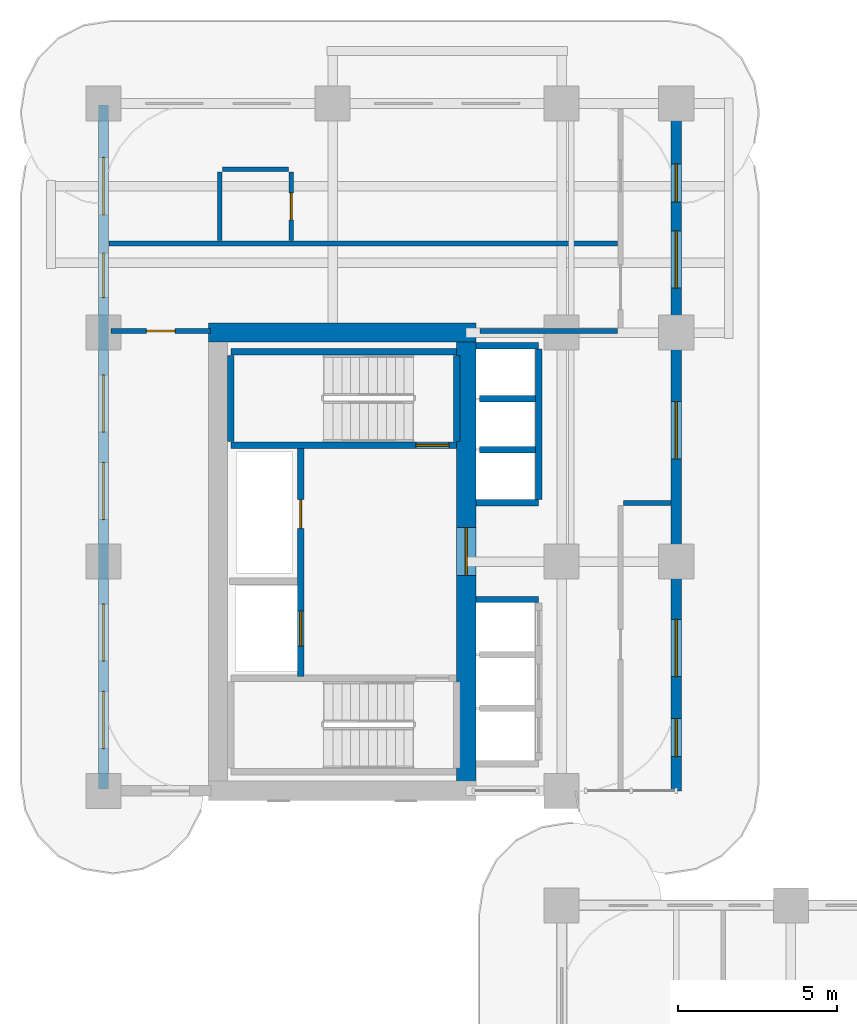
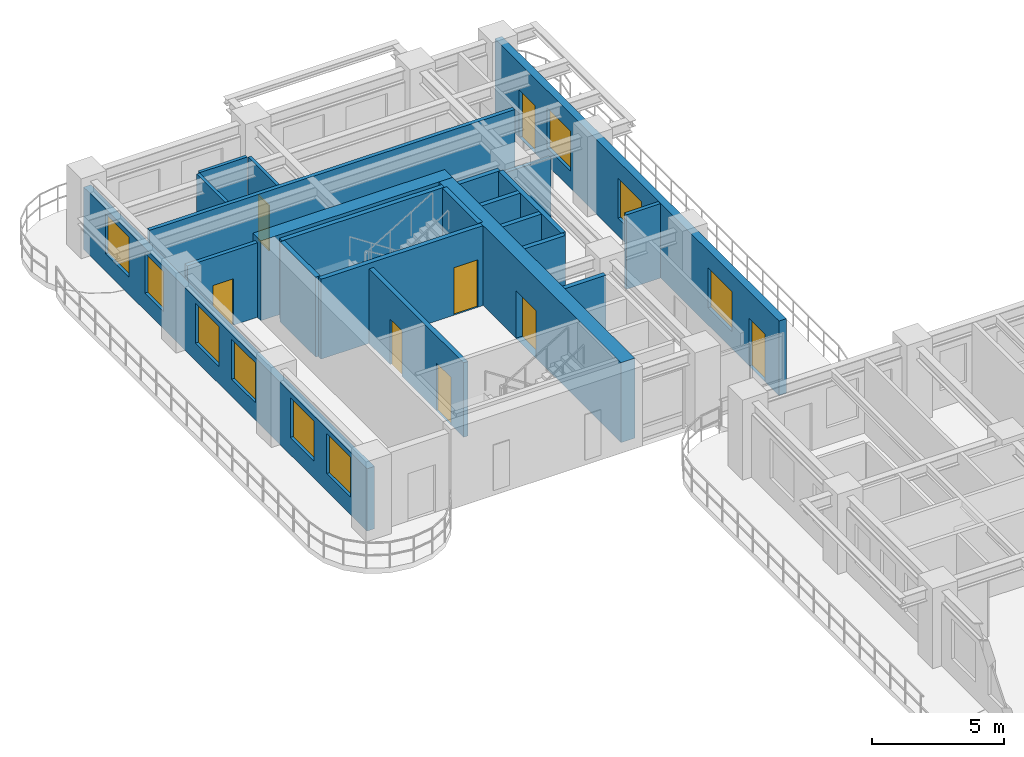
# One storey, part 11 of 19: 22 walls, 9 windows, 8 doors, 17 openings.
"""IFC4 building model written with IfcOpenShell, lengths in metres."""

from ifc_helpers import new_model, si_unit, derived_unit, direction, frame, frame_2d, origin, place, context, subcontext, project, spatial, rectangle, extrude, source, transform, mapped, material, layer, layer_set, type_object, type_shapes, element, fill, save


model = new_model("IFC4")

# Units and contexts
model_context = context("Model", 3, precision=1e-05, world=origin(), true_north=direction((0.0, 1.0)))
body_context = subcontext(model_context, "Body", "Model", "MODEL_VIEW")
ifc_project = project(units=[si_unit("LENGTHUNIT", "METRE"), si_unit("AREAUNIT", "SQUARE_METRE"), si_unit("VOLUMEUNIT", "CUBIC_METRE"), si_unit("PLANEANGLEUNIT", "RADIAN"), si_unit("MASSUNIT", "GRAM", prefix="KILO"), si_unit("THERMODYNAMICTEMPERATUREUNIT", "KELVIN"), si_unit("POWERUNIT", "WATT"), derived_unit("THERMALTRANSMITTANCEUNIT", [(si_unit("POWERUNIT", "WATT"), 1), (si_unit("AREAUNIT", "SQUARE_METRE"), -1), (si_unit("THERMODYNAMICTEMPERATUREUNIT", "KELVIN"), -1)])], contexts=[model_context])

# Site, building, storey
site_placement = place(None, origin())
site = spatial("IfcSite", under=ifc_project, at=site_placement, CompositionType="ELEMENT")
building_placement = place(site_placement, origin())
building = spatial("IfcBuilding", under=site, at=building_placement, Name="Zahravan Archway Hotel and Residences", CompositionType="ELEMENT")
storey_placement = place(building_placement, frame((0.0, 0.0, 39.800048828125)))
storey = spatial("IfcBuildingStorey", under=building, at=storey_placement, Name="L08", CompositionType="ELEMENT", Elevation=39.800048828125)

# Wall
ifc_material_1 = material(Name="Concrete C70/85", Category="concrete")
ifc_layer_1 = layer(ifc_material_1, 0.60009765625, Name="Concrete C70/85", Category="concrete")
ifc_layer_set_1 = layer_set([ifc_layer_1], Name="Concrete C70/85")
wall_type_1 = type_object("IfcWallType", Name="CW-CORE-600", PredefinedType="SHEAR", material=ifc_layer_set_1)
wall_1_placement = place(storey_placement, frame((3.300048828125, 39.60009765625, 0.0), z_axis=(0.0, 0.0, 1.0), x_axis=(1.0, 0.0, 0.0)))
element("IfcWall", 1, at=wall_1_placement, inside=storey, type_object=wall_type_1, Name="L08 Core B Shear N Wall 600 mm", PredefinedType="SHEAR", context=body_context, shape_type="SweptSolid", body=[
    extrude(rectangle(XDim=8.39990234375, YDim=0.60009765625, at=frame_2d((4.199951171875, 0.0))), origin(), (0.0, 0.0, 1.0), 3.699951171875),
])

# Wall, opening, door
wall_2_placement = place(storey_placement, frame((11.39990234375, 25.5, 0.0), z_axis=(0.0, 0.0, 1.0), x_axis=(0.0, 1.0, 0.0)))
wall_2 = element("IfcWall", 2, at=wall_2_placement, inside=storey, type_object=wall_type_1, Name="L08 Core B Shear E Wall 600 mm", PredefinedType="SHEAR", context=body_context, shape_type="SweptSolid", body=[
    extrude(rectangle(XDim=13.800048828125, YDim=0.60009765625, at=frame_2d((6.89990234375, 0.0))), origin(), (0.0, 0.0, 1.0), 3.699951171875),
])
opening_1_placement = place(wall_2_placement, frame((6.469970703125, 0.0, 0.0)))
opening_1 = element("IfcOpeningElement", 3, at=opening_1_placement, cuts=wall_2, Name="Opening FD-L1", PredefinedType="OPENING", context=body_context, shape_type="SweptSolid", body=[
    extrude(rectangle(XDim=1.5, YDim=2.199951171875, at=frame_2d((0.75, 1.10009765625))), frame((0.0, 0.31005859375, 0.0), z_axis=(0.0, -1.0, 0.0), x_axis=(1.0, 0.0, 0.0)), (0.0, 0.0, 1.0), 0.6201171875),
])
ifc_material_2 = material(Name="Fire-Rated Painted Steel", Category="steel")
door_type_1 = type_object("IfcDoorType", Name="FD-LOBBY-1500", OperationType="DOUBLE_DOOR_SINGLE_SWING", PredefinedType="DOOR", material=ifc_material_2)
shared_shape_1 = source(origin(), body_context, "Body", "SweptSolid", [
    extrude(rectangle(XDim=1.5, YDim=2.199951171875, at=frame_2d((0.75, 1.10009765625))), frame((0.0, 0.02490234375, 0.0), z_axis=(0.0, -1.0, 0.0), x_axis=(1.0, 0.0, 0.0)), (0.0, 0.0, 1.0), 0.050048828125),
])
type_shapes(door_type_1, [shared_shape_1])
door_1_placement = place(opening_1_placement, origin())
door_1 = element("IfcDoor", 4, at=door_1_placement, inside=storey, type_object=door_type_1, Name="L08 Core B FSAE Lobby Door", OperationType="DOUBLE_DOOR_SINGLE_SWING", OverallHeight=2.199951171875, OverallWidth=1.5, PredefinedType="DOOR", context=body_context, shape_type="MappedRepresentation", body=[
    mapped(shared_shape_1, transform((0.0, 0.0, 0.0), scale=1.0)),
])
fill(opening_1, door_1)

# Wall, openings, doors, windows
ifc_material_3 = material(Name="Agra Buff Sandstone & Insulated Backup", Category="masonry")
ifc_layer_2 = layer(ifc_material_3, 0.320068359375, Name="Agra Buff Sandstone & Insulated Backup", Category="masonry")
ifc_layer_set_2 = layer_set([ifc_layer_2], Name="Agra Buff Sandstone & Insulated Backup")
wall_type_2 = type_object("IfcWallType", Name="EW-SAND-320", PredefinedType="SOLIDWALL", material=ifc_layer_set_2)
wall_3_placement = place(storey_placement, frame((18.0, 25.199951171875, 0.0), z_axis=(0.0, 0.0, 1.0), x_axis=(0.0, 1.0, 0.0)))
wall_3 = element("IfcWall", 5, at=wall_3_placement, inside=storey, type_object=wall_type_2, Name="L08 Exterior Sandstone Wall WB-E", PredefinedType="SOLIDWALL", context=body_context, shape_type="SweptSolid", body=[
    extrude(rectangle(XDim=21.550048828125, YDim=0.320068359375, at=frame_2d((10.77490234375, 0.0))), origin(), (0.0, 0.0, 1.0), 3.449951171875),
])
opening_2_placement = place(wall_3_placement, frame((18.5, 0.0, 0.0)))
opening_2 = element("IfcOpeningElement", 6, at=opening_2_placement, cuts=wall_3, Name="Opening ED-BL1", PredefinedType="OPENING", context=body_context, shape_type="SweptSolid", body=[
    extrude(rectangle(XDim=1.199951171875, YDim=2.199951171875, at=frame_2d((0.60009765625, 1.10009765625))), frame((0.0, 0.169921875, 0.0), z_axis=(0.0, -1.0, 0.0), x_axis=(1.0, 0.0, 0.0)), (0.0, 0.0, 1.0), 0.340087890625),
])
opening_3_placement = place(wall_3_placement, frame((1.070068359375, 0.0, 0.0)))
opening_3 = element("IfcOpeningElement", 7, at=opening_3_placement, cuts=wall_3, Name="Opening ED-BL1", PredefinedType="OPENING", context=body_context, shape_type="SweptSolid", body=[
    extrude(rectangle(XDim=1.199951171875, YDim=2.199951171875, at=frame_2d((0.60009765625, 1.10009765625))), frame((0.0, 0.169921875, 0.0), z_axis=(0.0, -1.0, 0.0), x_axis=(1.0, 0.0, 0.0)), (0.0, 0.0, 1.0), 0.340087890625),
])
opening_4_placement = place(wall_3_placement, frame((3.5849609375, 0.0, 0.800048828125)))
opening_4 = element("IfcOpeningElement", 8, at=opening_4_placement, cuts=wall_3, Name="Opening W-02", PredefinedType="OPENING", context=body_context, shape_type="SweptSolid", body=[
    extrude(rectangle(XDim=1.800048828125, YDim=1.85009765625, at=frame_2d((0.89990234375, 0.925048828125))), frame((0.0, 0.169921875, 0.0), z_axis=(0.0, -1.0, 0.0), x_axis=(1.0, 0.0, 0.0)), (0.0, 0.0, 1.0), 0.340087890625),
])
opening_5_placement = place(wall_3_placement, frame((10.427978515625, 0.0, 0.800048828125)))
opening_5 = element("IfcOpeningElement", 9, at=opening_5_placement, cuts=wall_3, Name="Opening W-02", PredefinedType="OPENING", context=body_context, shape_type="SweptSolid", body=[
    extrude(rectangle(XDim=1.800048828125, YDim=1.85009765625, at=frame_2d((0.89990234375, 0.925048828125))), frame((0.0, 0.169921875, 0.0), z_axis=(0.0, -1.0, 0.0), x_axis=(1.0, 0.0, 0.0)), (0.0, 0.0, 1.0), 0.340087890625),
])
opening_6_placement = place(wall_3_placement, frame((15.800048828125, 0.0, 0.800048828125)))
opening_6 = element("IfcOpeningElement", 10, at=opening_6_placement, cuts=wall_3, Name="Opening W-02", PredefinedType="OPENING", context=body_context, shape_type="SweptSolid", body=[
    extrude(rectangle(XDim=1.800048828125, YDim=1.85009765625, at=frame_2d((0.89990234375, 0.925048828125))), frame((0.0, 0.169921875, 0.0), z_axis=(0.0, -1.0, 0.0), x_axis=(1.0, 0.0, 0.0)), (0.0, 0.0, 1.0), 0.340087890625),
])
ifc_material_4 = material(Name="Bronze-Anodized Glazed Aluminium", Category="aluminium")
door_type_2 = type_object("IfcDoorType", Name="ED-BALC-1200", OperationType="SLIDING_TO_LEFT", PredefinedType="DOOR", material=ifc_material_4)
shared_shape_2 = source(origin(), body_context, "Body", "SweptSolid", [
    extrude(rectangle(XDim=1.199951171875, YDim=2.199951171875, at=frame_2d((0.60009765625, 1.10009765625))), frame((0.0, 0.02490234375, 0.0), z_axis=(0.0, -1.0, 0.0), x_axis=(1.0, 0.0, 0.0)), (0.0, 0.0, 1.0), 0.050048828125),
])
type_shapes(door_type_2, [shared_shape_2])
door_2_placement = place(opening_2_placement, origin())
door_2 = element("IfcDoor", 11, at=door_2_placement, inside=storey, type_object=door_type_2, Name="L08 Outdoor Access Sliding Door (SLB-BAL-L08-NB)", OperationType="SLIDING_TO_LEFT", OverallHeight=2.199951171875, OverallWidth=1.199951171875, PredefinedType="DOOR", context=body_context, shape_type="MappedRepresentation", body=[
    mapped(shared_shape_2, transform((0.0, 0.0, 0.0), scale=1.0)),
])
fill(opening_2, door_2)
door_3_placement = place(opening_3_placement, origin())
door_3 = element("IfcDoor", 12, at=door_3_placement, inside=storey, type_object=door_type_2, Name="L08 Outdoor Access Sliding Door (SLB-BAL-L08-EB)", OperationType="SLIDING_TO_LEFT", OverallHeight=2.199951171875, OverallWidth=1.199951171875, PredefinedType="DOOR", context=body_context, shape_type="MappedRepresentation", body=[
    mapped(shared_shape_2, transform((0.0, 0.0, 0.0), scale=1.0)),
])
fill(opening_3, door_3)
ifc_material_5 = material(Name="Bronze-Anodized Thermal-Break Aluminium & Low-E Glass", Category="aluminium")
window_type_1 = type_object("IfcWindowType", Name="WIN-TWR-1800", PartitioningType="DOUBLE_PANEL_VERTICAL", PredefinedType="WINDOW", material=ifc_material_5)
shared_shape_3 = source(origin(), body_context, "Body", "SweptSolid", [
    extrude(rectangle(XDim=1.800048828125, YDim=1.85009765625, at=frame_2d((0.89990234375, 0.925048828125))), frame((0.0, 0.030029296875, 0.0), z_axis=(0.0, -1.0, 0.0), x_axis=(1.0, 0.0, 0.0)), (0.0, 0.0, 1.0), 0.06005859375),
])
type_shapes(window_type_1, [shared_shape_3])
window_1_placement = place(opening_4_placement, origin())
window_1 = element("IfcWindow", 13, at=window_1_placement, inside=storey, type_object=window_type_1, Name="L08 Loggia Window 35", OverallHeight=1.85009765625, OverallWidth=1.800048828125, PartitioningType="DOUBLE_PANEL_VERTICAL", PredefinedType="WINDOW", context=body_context, shape_type="MappedRepresentation", body=[
    mapped(shared_shape_3, transform((0.0, 0.0, 0.0), scale=1.0)),
])
fill(opening_4, window_1)
window_2_placement = place(opening_5_placement, origin())
window_2 = element("IfcWindow", 14, at=window_2_placement, inside=storey, type_object=window_type_1, Name="L08 Loggia Window 36", OverallHeight=1.85009765625, OverallWidth=1.800048828125, PartitioningType="DOUBLE_PANEL_VERTICAL", PredefinedType="WINDOW", context=body_context, shape_type="MappedRepresentation", body=[
    mapped(shared_shape_3, transform((0.0, 0.0, 0.0), scale=1.0)),
])
fill(opening_5, window_2)
window_3_placement = place(opening_6_placement, origin())
window_3 = element("IfcWindow", 15, at=window_3_placement, inside=storey, type_object=window_type_1, Name="L08 Loggia Window 37", OverallHeight=1.85009765625, OverallWidth=1.800048828125, PartitioningType="DOUBLE_PANEL_VERTICAL", PredefinedType="WINDOW", context=body_context, shape_type="MappedRepresentation", body=[
    mapped(shared_shape_3, transform((0.0, 0.0, 0.0), scale=1.0)),
])
fill(opening_6, window_3)

# Wall, openings, windows
wall_4_placement = place(storey_placement, frame((0.0, 25.25, 0.0), z_axis=(0.0, 0.0, 1.0), x_axis=(0.0, 1.0, 0.0)))
wall_4 = element("IfcWall", 16, at=wall_4_placement, inside=storey, type_object=wall_type_2, Name="L08 Exterior Sandstone Wall WB-W", PredefinedType="SOLIDWALL", context=body_context, shape_type="SweptSolid", body=[
    extrude(rectangle(XDim=21.5, YDim=0.320068359375, at=frame_2d((10.75, 0.0))), origin(), (0.0, 0.0, 1.0), 2.885009765625),
])
opening_7_placement = place(wall_4_placement, frame((1.27490234375, 0.0, 0.800048828125)))
opening_7 = element("IfcOpeningElement", 17, at=opening_7_placement, cuts=wall_4, Name="Opening W-02", PredefinedType="OPENING", context=body_context, shape_type="SweptSolid", body=[
    extrude(rectangle(XDim=1.800048828125, YDim=1.85009765625, at=frame_2d((0.89990234375, 0.925048828125))), frame((0.0, 0.169921875, 0.0), z_axis=(0.0, -1.0, 0.0), x_axis=(1.0, 0.0, 0.0)), (0.0, 0.0, 1.0), 0.340087890625),
])
opening_8_placement = place(wall_4_placement, frame((4.02490234375, 0.0, 0.800048828125)))
opening_8 = element("IfcOpeningElement", 18, at=opening_8_placement, cuts=wall_4, Name="Opening W-02", PredefinedType="OPENING", context=body_context, shape_type="SweptSolid", body=[
    extrude(rectangle(XDim=1.800048828125, YDim=1.85009765625, at=frame_2d((0.89990234375, 0.925048828125))), frame((0.0, 0.169921875, 0.0), z_axis=(0.0, -1.0, 0.0), x_axis=(1.0, 0.0, 0.0)), (0.0, 0.0, 1.0), 0.340087890625),
])
opening_9_placement = place(wall_4_placement, frame((8.47509765625, 0.0, 0.800048828125)))
opening_9 = element("IfcOpeningElement", 19, at=opening_9_placement, cuts=wall_4, Name="Opening W-02", PredefinedType="OPENING", context=body_context, shape_type="SweptSolid", body=[
    extrude(rectangle(XDim=1.800048828125, YDim=1.85009765625, at=frame_2d((0.89990234375, 0.925048828125))), frame((0.0, 0.169921875, 0.0), z_axis=(0.0, -1.0, 0.0), x_axis=(1.0, 0.0, 0.0)), (0.0, 0.0, 1.0), 0.340087890625),
])
opening_10_placement = place(wall_4_placement, frame((11.22509765625, 0.0, 0.800048828125)))
opening_10 = element("IfcOpeningElement", 20, at=opening_10_placement, cuts=wall_4, Name="Opening W-02", PredefinedType="OPENING", context=body_context, shape_type="SweptSolid", body=[
    extrude(rectangle(XDim=1.800048828125, YDim=1.85009765625, at=frame_2d((0.89990234375, 0.925048828125))), frame((0.0, 0.169921875, 0.0), z_axis=(0.0, -1.0, 0.0), x_axis=(1.0, 0.0, 0.0)), (0.0, 0.0, 1.0), 0.340087890625),
])
opening_11_placement = place(wall_4_placement, frame((15.447021484375, 0.0, 0.800048828125)))
opening_11 = element("IfcOpeningElement", 21, at=opening_11_placement, cuts=wall_4, Name="Opening W-03", PredefinedType="OPENING", context=body_context, shape_type="SweptSolid", body=[
    extrude(rectangle(XDim=1.39990234375, YDim=1.85009765625, at=frame_2d((0.699951171875, 0.925048828125))), frame((0.0, 0.169921875, 0.0), z_axis=(0.0, -1.0, 0.0), x_axis=(1.0, 0.0, 0.0)), (0.0, 0.0, 1.0), 0.340087890625),
])
opening_12_placement = place(wall_4_placement, frame((18.052978515625, 0.0, 0.800048828125)))
opening_12 = element("IfcOpeningElement", 22, at=opening_12_placement, cuts=wall_4, Name="Opening W-02", PredefinedType="OPENING", context=body_context, shape_type="SweptSolid", body=[
    extrude(rectangle(XDim=1.800048828125, YDim=1.85009765625, at=frame_2d((0.89990234375, 0.925048828125))), frame((0.0, 0.169921875, 0.0), z_axis=(0.0, -1.0, 0.0), x_axis=(1.0, 0.0, 0.0)), (0.0, 0.0, 1.0), 0.340087890625),
])
window_type_2 = type_object("IfcWindowType", Name="WIN-TWR-1400", PartitioningType="SINGLE_PANEL", PredefinedType="WINDOW", material=ifc_material_5)
shared_shape_4 = source(origin(), body_context, "Body", "SweptSolid", [
    extrude(rectangle(XDim=1.39990234375, YDim=1.85009765625, at=frame_2d((0.699951171875, 0.925048828125))), frame((0.0, 0.030029296875, 0.0), z_axis=(0.0, -1.0, 0.0), x_axis=(1.0, 0.0, 0.0)), (0.0, 0.0, 1.0), 0.06005859375),
])
type_shapes(window_type_2, [shared_shape_4])
window_4_placement = place(opening_11_placement, origin())
window_4 = element("IfcWindow", 23, at=window_4_placement, inside=storey, type_object=window_type_2, Name="L08 Loggia Window 46", OverallHeight=1.85009765625, OverallWidth=1.39990234375, PartitioningType="SINGLE_PANEL", PredefinedType="WINDOW", context=body_context, shape_type="MappedRepresentation", body=[
    mapped(shared_shape_4, transform((0.0, 0.0, 0.0), scale=1.0)),
])
fill(opening_11, window_4)
window_5_placement = place(opening_7_placement, origin())
window_5 = element("IfcWindow", 24, at=window_5_placement, inside=storey, type_object=window_type_1, Name="L08 Loggia Window 42", OverallHeight=1.85009765625, OverallWidth=1.800048828125, PartitioningType="DOUBLE_PANEL_VERTICAL", PredefinedType="WINDOW", context=body_context, shape_type="MappedRepresentation", body=[
    mapped(shared_shape_3, transform((0.0, 0.0, 0.0), scale=1.0)),
])
fill(opening_7, window_5)
window_6_placement = place(opening_8_placement, origin())
window_6 = element("IfcWindow", 25, at=window_6_placement, inside=storey, type_object=window_type_1, Name="L08 Loggia Window 43", OverallHeight=1.85009765625, OverallWidth=1.800048828125, PartitioningType="DOUBLE_PANEL_VERTICAL", PredefinedType="WINDOW", context=body_context, shape_type="MappedRepresentation", body=[
    mapped(shared_shape_3, transform((0.0, 0.0, 0.0), scale=1.0)),
])
fill(opening_8, window_6)
window_7_placement = place(opening_9_placement, origin())
window_7 = element("IfcWindow", 26, at=window_7_placement, inside=storey, type_object=window_type_1, Name="L08 Loggia Window 44", OverallHeight=1.85009765625, OverallWidth=1.800048828125, PartitioningType="DOUBLE_PANEL_VERTICAL", PredefinedType="WINDOW", context=body_context, shape_type="MappedRepresentation", body=[
    mapped(shared_shape_3, transform((0.0, 0.0, 0.0), scale=1.0)),
])
fill(opening_9, window_7)
window_8_placement = place(opening_10_placement, origin())
window_8 = element("IfcWindow", 27, at=window_8_placement, inside=storey, type_object=window_type_1, Name="L08 Loggia Window 45", OverallHeight=1.85009765625, OverallWidth=1.800048828125, PartitioningType="DOUBLE_PANEL_VERTICAL", PredefinedType="WINDOW", context=body_context, shape_type="MappedRepresentation", body=[
    mapped(shared_shape_3, transform((0.0, 0.0, 0.0), scale=1.0)),
])
fill(opening_10, window_8)
window_9_placement = place(opening_12_placement, origin())
window_9 = element("IfcWindow", 28, at=window_9_placement, inside=storey, type_object=window_type_1, Name="L08 Loggia Window 47", OverallHeight=1.85009765625, OverallWidth=1.800048828125, PartitioningType="DOUBLE_PANEL_VERTICAL", PredefinedType="WINDOW", context=body_context, shape_type="MappedRepresentation", body=[
    mapped(shared_shape_3, transform((0.0, 0.0, 0.0), scale=1.0)),
])
fill(opening_12, window_9)

# Walls
ifc_material_6 = material(Name="Fire-Rated Gypsum & Concrete Block", Category="concrete")
ifc_layer_3 = layer(ifc_material_6, 0.159912109375, Name="Fire-Rated Gypsum & Concrete Block", Category="concrete")
ifc_layer_set_3 = layer_set([ifc_layer_3], Name="Fire-Rated Gypsum & Concrete Block")
wall_type_3 = type_object("IfcWallType", Name="PW-CORR-160", PredefinedType="PARTITIONING", material=ifc_layer_set_3)
wall_5_placement = place(storey_placement, frame((16.340087890625, 34.25, 0.0), z_axis=(0.0, 0.0, 1.0), x_axis=(1.0, 0.0, 0.0)))
element("IfcWall", 29, at=wall_5_placement, inside=storey, type_object=wall_type_3, Name="L08 Partition WB-CS", PredefinedType="PARTITIONING", context=body_context, shape_type="SweptSolid", body=[
    extrude(rectangle(XDim=1.491943359375, YDim=0.159912109375, at=frame_2d((0.74609375, 0.0))), origin(), (0.0, 0.0, 1.0), 3.449951171875),
])
wall_6_placement = place(storey_placement, frame((11.840087890625, 39.64990234375, 0.0), z_axis=(0.0, 0.0, 1.0), x_axis=(1.0, 0.0, 0.0)))
element("IfcWall", 30, at=wall_6_placement, inside=storey, type_object=wall_type_3, Name="L08 Partition WB-NS2", PredefinedType="PARTITIONING", context=body_context, shape_type="SweptSolid", body=[
    extrude(rectangle(XDim=4.31982421875, YDim=0.159912109375, at=frame_2d((2.159912109375, 0.0))), origin(), (0.0, 0.0, 1.0), 2.885009765625),
])

# Wall, openings, doors
ifc_layer_4 = layer(ifc_material_6, 0.199951171875, Name="Fire-Rated Gypsum & Concrete Block", Category="concrete")
ifc_layer_set_4 = layer_set([ifc_layer_4], Name="Fire-Rated Gypsum & Concrete Block")
wall_type_4 = type_object("IfcWallType", Name="PW-SHAFT-200", PredefinedType="PARTITIONING", material=ifc_layer_set_4)
wall_7_placement = place(storey_placement, frame((6.199951171875, 28.7900390625, 0.0), z_axis=(0.0, 0.0, 1.0), x_axis=(0.0, 1.0, 0.0)))
wall_7 = element("IfcWall", 31, at=wall_7_placement, inside=storey, type_object=wall_type_4, Name="L08 Partition CB-FL3E", PredefinedType="PARTITIONING", context=body_context, shape_type="SweptSolid", body=[
    extrude(rectangle(XDim=7.219970703125, YDim=0.199951171875, at=frame_2d((3.60986328125, 0.0))), origin(), (0.0, 0.0, 1.0), 3.449951171875),
])
opening_13_placement = place(wall_7_placement, frame((4.659912109375, 0.0, 0.0)))
opening_13 = element("IfcOpeningElement", 32, at=opening_13_placement, cuts=wall_7, Name="Opening FD-R1", PredefinedType="OPENING", context=body_context, shape_type="SweptSolid", body=[
    extrude(rectangle(XDim=0.89990234375, YDim=2.10009765625, at=frame_2d((0.449951171875, 1.050048828125))), frame((0.0, 0.10986328125, 0.0), z_axis=(0.0, -1.0, 0.0), x_axis=(1.0, 0.0, 0.0)), (0.0, 0.0, 1.0), 0.219970703125),
])
opening_14_placement = place(wall_7_placement, frame((0.9599609375, 0.0, 0.0)))
opening_14 = element("IfcOpeningElement", 33, at=opening_14_placement, cuts=wall_7, Name="Opening LD", PredefinedType="OPENING", context=body_context, shape_type="SweptSolid", body=[
    extrude(rectangle(XDim=1.10009765625, YDim=2.199951171875, at=frame_2d((0.550048828125, 1.10009765625))), frame((0.0, 0.10986328125, 0.0), z_axis=(0.0, -1.0, 0.0), x_axis=(1.0, 0.0, 0.0)), (0.0, 0.0, 1.0), 0.219970703125),
])
door_type_3 = type_object("IfcDoorType", Name="FD-RISER-900", OperationType="NOTDEFINED", PredefinedType="DOOR", material=ifc_material_2)
shared_shape_5 = source(origin(), body_context, "Body", "SweptSolid", [
    extrude(rectangle(XDim=0.89990234375, YDim=2.10009765625, at=frame_2d((0.449951171875, 1.050048828125))), frame((0.0, 0.02490234375, 0.0), z_axis=(0.0, -1.0, 0.0), x_axis=(1.0, 0.0, 0.0)), (0.0, 0.0, 1.0), 0.050048828125),
])
type_shapes(door_type_3, [shared_shape_5])
door_4_placement = place(opening_13_placement, origin())
door_4 = element("IfcDoor", 34, at=door_4_placement, inside=storey, type_object=door_type_3, Name="L08 Core B Riser Door", OperationType="SINGLE_SWING_RIGHT", OverallHeight=2.10009765625, OverallWidth=0.89990234375, PredefinedType="DOOR", context=body_context, shape_type="MappedRepresentation", body=[
    mapped(shared_shape_5, transform((0.0, 0.0, 0.0), scale=1.0)),
])
fill(opening_13, door_4)
ifc_material_7 = material(Name="Brushed Stainless Steel", Category="steel")
door_type_4 = type_object("IfcDoorType", Name="DR-LIFT-LD", OperationType="SLIDING_TO_LEFT", PredefinedType="DOOR", material=ifc_material_7)
shared_shape_6 = source(origin(), body_context, "Body", "SweptSolid", [
    extrude(rectangle(XDim=1.10009765625, YDim=2.199951171875, at=frame_2d((0.550048828125, 1.10009765625))), frame((0.0, 0.02490234375, 0.0), z_axis=(0.0, -1.0, 0.0), x_axis=(1.0, 0.0, 0.0)), (0.0, 0.0, 1.0), 0.050048828125),
])
type_shapes(door_type_4, [shared_shape_6])
door_5_placement = place(opening_14_placement, origin())
door_5 = element("IfcDoor", 35, at=door_5_placement, inside=storey, type_object=door_type_4, Name="L08 Lift FL-3 Sliding Landing Door", OperationType="SLIDING_TO_LEFT", OverallHeight=2.199951171875, OverallWidth=1.10009765625, PredefinedType="DOOR", context=body_context, shape_type="MappedRepresentation", body=[
    mapped(shared_shape_6, transform((0.0, 0.0, 0.0), scale=1.0)),
])
fill(opening_14, door_5)

# Walls
for number, where, z_axis, x_axis, name in (
    (36, (11.7099609375, 31.2099609375, 0.0), (0.0, 0.0, 1.0), (1.0, 0.0, 0.0), "L08 Partition B1-N"),
    (37, (11.7099609375, 34.25, 0.0), (0.0, 0.0, 1.0), (1.0, 0.0, 0.0), "L08 Partition B2-S"),
    (38, (11.7099609375, 39.18994140625, 0.0), (0.0, 0.0, 1.0), (1.0, 0.0, 0.0), "L08 Partition B2-N"),
):
    element("IfcWall", number, at=place(storey_placement, frame(where, z_axis=z_axis, x_axis=x_axis)), inside=storey, type_object=wall_type_4, Name=name, PredefinedType="PARTITIONING", context=body_context, shape_type="SweptSolid", body=[
        extrude(rectangle(XDim=1.9599609375, YDim=0.199951171875, at=frame_2d((0.97998046875, 0.0))), origin(), (0.0, 0.0, 1.0), 3.449951171875),
    ])
wall_8_placement = place(storey_placement, frame((13.679931640625, 34.360107421875, 0.0), z_axis=(0.0, 0.0, 1.0), x_axis=(0.0, 1.0, 0.0)))
element("IfcWall", 39, at=wall_8_placement, inside=storey, type_object=wall_type_4, Name="L08 Partition B2-E", PredefinedType="PARTITIONING", context=body_context, shape_type="SweptSolid", body=[
    extrude(rectangle(XDim=4.719970703125, YDim=0.199951171875, at=frame_2d((2.35986328125, 0.0))), origin(), (0.0, 0.0, 1.0), 3.449951171875),
])
for number, where, z_axis, x_axis, name in (
    (40, (11.81005859375, 35.919921875, 0.0), (0.0, 0.0, 1.0), (1.0, 0.0, 0.0), "L08 Partition B2-D"),
    (41, (11.81005859375, 37.52001953125, 0.0), (0.0, 0.0, 1.0), (1.0, 0.0, 0.0), "L08 Partition B2-D"),
):
    element("IfcWall", number, at=place(storey_placement, frame(where, z_axis=z_axis, x_axis=x_axis)), inside=storey, type_object=wall_type_4, Name=name, PredefinedType="PARTITIONING", context=body_context, shape_type="SweptSolid", body=[
        extrude(rectangle(XDim=1.760009765625, YDim=0.199951171875, at=frame_2d((0.8798828125, 0.0))), origin(), (0.0, 0.0, 1.0), 3.449951171875),
    ])

# Wall, opening, door
ifc_material_8 = material(Name="Acoustic Stud Partition")
ifc_layer_5 = layer(ifc_material_8, 0.169921875, Name="Acoustic Stud Partition")
ifc_layer_set_5 = layer_set([ifc_layer_5], Name="Acoustic Stud Partition")
wall_type_5 = type_object("IfcWallType", Name="PW-UNIT-170", PredefinedType="PARTITIONING", material=ifc_layer_set_5)
wall_9_placement = place(storey_placement, frame((0.239990234375, 39.64990234375, 0.0), z_axis=(0.0, 0.0, 1.0), x_axis=(1.0, 0.0, 0.0)))
wall_9 = element("IfcWall", 42, at=wall_9_placement, inside=storey, type_object=wall_type_5, Name="L08 Partition WB-NS", PredefinedType="PARTITIONING", context=body_context, shape_type="SweptSolid", body=[
    extrude(rectangle(XDim=3.1201171875, YDim=0.169921875, at=frame_2d((1.56005859375, 0.0))), origin(), (0.0, 0.0, 1.0), 3.449951171875),
])
opening_15_placement = place(wall_9_placement, frame((1.110107421875, 0.0, 0.0)))
opening_15 = element("IfcOpeningElement", 43, at=opening_15_placement, cuts=wall_9, Name="Opening D-I2", PredefinedType="OPENING", context=body_context, shape_type="SweptSolid", body=[
    extrude(rectangle(XDim=0.89990234375, YDim=2.14990234375, at=frame_2d((0.449951171875, 1.074951171875))), frame((0.0, 0.094970703125, 0.0), z_axis=(0.0, -1.0, 0.0), x_axis=(1.0, 0.0, 0.0)), (0.0, 0.0, 1.0), 0.18994140625),
])
ifc_material_9 = material(Name="Hardwood Veneer Timber", Category="wood")
door_type_5 = type_object("IfcDoorType", Name="ID-INT-900", OperationType="NOTDEFINED", PredefinedType="DOOR", material=ifc_material_9)
shared_shape_7 = source(origin(), body_context, "Body", "SweptSolid", [
    extrude(rectangle(XDim=0.89990234375, YDim=2.14990234375, at=frame_2d((0.449951171875, 1.074951171875))), frame((0.0, 0.02490234375, 0.0), z_axis=(0.0, -1.0, 0.0), x_axis=(1.0, 0.0, 0.0)), (0.0, 0.0, 1.0), 0.050048828125),
])
type_shapes(door_type_5, [shared_shape_7])
door_6_placement = place(opening_15_placement, origin())
door_6 = element("IfcDoor", 44, at=door_6_placement, inside=storey, type_object=door_type_5, Name="L08 Wing B West Loggia Salon Door", OperationType="SINGLE_SWING_RIGHT", OverallHeight=2.14990234375, OverallWidth=0.89990234375, PredefinedType="DOOR", context=body_context, shape_type="MappedRepresentation", body=[
    mapped(shared_shape_7, transform((0.0, 0.0, 0.0), scale=1.0)),
])
fill(opening_15, door_6)

# Walls
wall_10_placement = place(storey_placement, frame((0.16796875, 42.39990234375, 0.0), z_axis=(0.0, 0.0, 1.0), x_axis=(1.0, 0.0, 0.0)))
element("IfcWall", 45, at=wall_10_placement, inside=storey, type_object=wall_type_5, Name="L08 Partition WB-NH2", PredefinedType="PARTITIONING", context=body_context, shape_type="SweptSolid", body=[
    extrude(rectangle(XDim=15.991943359375, YDim=0.169921875, at=frame_2d((7.99609375, 0.0))), origin(), (0.0, 0.0, 1.0), 3.449951171875),
])
ifc_material_10 = material(Name="Moisture-Resistant Blockwork", Category="masonry")
ifc_layer_6 = layer(ifc_material_10, 0.139892578125, Name="Moisture-Resistant Blockwork", Category="masonry")
ifc_layer_set_6 = layer_set([ifc_layer_6], Name="Moisture-Resistant Blockwork")
wall_type_6 = type_object("IfcWallType", Name="PW-WET-140", PredefinedType="PARTITIONING", material=ifc_layer_set_6)
wall_11_placement = place(storey_placement, frame((3.64990234375, 42.489990234375, 0.0), z_axis=(0.0, 0.0, 1.0), x_axis=(0.0, 1.0, 0.0)))
element("IfcWall", 46, at=wall_11_placement, inside=storey, type_object=wall_type_6, Name="L08 Partition HKB-VL63", PredefinedType="PARTITIONING", context=body_context, shape_type="SweptSolid", body=[
    extrude(rectangle(XDim=2.157958984375, YDim=0.139892578125, at=frame_2d((1.0791015625, 0.0))), origin(), (0.0, 0.0, 1.0), 3.449951171875),
])
wall_12_placement = place(storey_placement, frame((3.739990234375, 44.738037109375, 0.0), z_axis=(0.0, 0.0, 1.0), x_axis=(1.0, 0.0, 0.0)))
element("IfcWall", 47, at=wall_12_placement, inside=storey, type_object=wall_type_6, Name="L08 Partition HKB-H63", PredefinedType="PARTITIONING", context=body_context, shape_type="SweptSolid", body=[
    extrude(rectangle(XDim=2.070068359375, YDim=0.139892578125, at=frame_2d((1.03515625, 0.0))), origin(), (0.0, 0.0, 1.0), 3.449951171875),
])

# Wall, opening, door
wall_13_placement = place(storey_placement, frame((5.89990234375, 42.489990234375, 0.0), z_axis=(0.0, 0.0, 1.0), x_axis=(0.0, 1.0, 0.0)))
wall_13 = element("IfcWall", 48, at=wall_13_placement, inside=storey, type_object=wall_type_6, Name="L08 Partition HKB-V63", PredefinedType="PARTITIONING", context=body_context, shape_type="SweptSolid", body=[
    extrude(rectangle(XDim=2.157958984375, YDim=0.139892578125, at=frame_2d((1.0791015625, 0.0))), origin(), (0.0, 0.0, 1.0), 3.449951171875),
])
opening_16_placement = place(wall_13_placement, frame((0.654052734375, 0.0, 0.0)))
opening_16 = element("IfcOpeningElement", 49, at=opening_16_placement, cuts=wall_13, Name="Opening D-B1", PredefinedType="OPENING", context=body_context, shape_type="SweptSolid", body=[
    extrude(rectangle(XDim=0.85009765625, YDim=2.10009765625, at=frame_2d((0.425048828125, 1.050048828125))), frame((0.0, 0.080078125, 0.0), z_axis=(0.0, -1.0, 0.0), x_axis=(1.0, 0.0, 0.0)), (0.0, 0.0, 1.0), 0.159912109375),
])
door_type_6 = type_object("IfcDoorType", Name="ID-BATH-850", OperationType="NOTDEFINED", PredefinedType="DOOR", material=ifc_material_9)
shared_shape_8 = source(origin(), body_context, "Body", "SweptSolid", [
    extrude(rectangle(XDim=0.85009765625, YDim=2.10009765625, at=frame_2d((0.425048828125, 1.050048828125))), frame((0.0, 0.02490234375, 0.0), z_axis=(0.0, -1.0, 0.0), x_axis=(1.0, 0.0, 0.0)), (0.0, 0.0, 1.0), 0.050048828125),
])
type_shapes(door_type_6, [shared_shape_8])
door_7_placement = place(opening_16_placement, origin())
door_7 = element("IfcDoor", 50, at=door_7_placement, inside=storey, type_object=door_type_6, Name="L08 Guestroom 63 En-Suite Door", OperationType="SINGLE_SWING_LEFT", OverallHeight=2.10009765625, OverallWidth=0.85009765625, PredefinedType="DOOR", context=body_context, shape_type="MappedRepresentation", body=[
    mapped(shared_shape_8, transform((0.0, 0.0, 0.0), scale=1.0)),
])
fill(opening_16, door_7)

# Walls
ifc_material_11 = material(Name="Concrete C50/60", Category="concrete")
ifc_layer_7 = layer(ifc_material_11, 0.199951171875, Name="Concrete C50/60", Category="concrete")
ifc_layer_set_7 = layer_set([ifc_layer_7], Name="Concrete C50/60")
wall_type_7 = type_object("IfcWallType", Name="SW-STAIR-200", PredefinedType="SHEAR", material=ifc_layer_set_7)
wall_14_placement = place(storey_placement, frame((4.0, 39.0, 0.0), z_axis=(0.0, 0.0, 1.0), x_axis=(1.0, 0.0, 0.0)))
element("IfcWall", 51, at=wall_14_placement, inside=storey, type_object=wall_type_7, Name="L08 Stairwell RC Wall CB-SB2N", PredefinedType="SHEAR", context=body_context, shape_type="SweptSolid", body=[
    extrude(rectangle(XDim=7.10009765625, YDim=0.199951171875, at=frame_2d((3.550048828125, 0.0))), origin(), (0.0, 0.0, 1.0), 3.699951171875),
])
for number, where, z_axis, x_axis, name in (
    (52, (4.0, 36.179931640625, 0.0), (0.0, 0.0, 1.0), (0.0, 1.0, 0.0), "L08 Stairwell RC Wall CB-SB2W"),
    (53, (11.10009765625, 36.179931640625, 0.0), (0.0, 0.0, 1.0), (0.0, 1.0, 0.0), "L08 Stairwell RC Wall CB-SB2E"),
):
    element("IfcWall", number, at=place(storey_placement, frame(where, z_axis=z_axis, x_axis=x_axis)), inside=storey, type_object=wall_type_7, Name=name, PredefinedType="SHEAR", context=body_context, shape_type="SweptSolid", body=[
        extrude(rectangle(XDim=2.699951171875, YDim=0.199951171875, at=frame_2d((1.35009765625, 0.0))), origin(), (0.0, 0.0, 1.0), 3.699951171875),
    ])

# Wall, opening, door
wall_15_placement = place(storey_placement, frame((4.0, 36.06005859375, 0.0), z_axis=(0.0, 0.0, 1.0), x_axis=(1.0, 0.0, 0.0)))
wall_15 = element("IfcWall", 54, at=wall_15_placement, inside=storey, type_object=wall_type_7, Name="L08 Stairwell RC Wall CB-SB2S", PredefinedType="SHEAR", context=body_context, shape_type="SweptSolid", body=[
    extrude(rectangle(XDim=7.10009765625, YDim=0.199951171875, at=frame_2d((3.550048828125, 0.0))), origin(), (0.0, 0.0, 1.0), 3.699951171875),
])
opening_17_placement = place(wall_15_placement, frame((5.81494140625, 0.0, 0.0)))
opening_17 = element("IfcOpeningElement", 55, at=opening_17_placement, cuts=wall_15, Name="Opening FD-S1", PredefinedType="OPENING", context=body_context, shape_type="SweptSolid", body=[
    extrude(rectangle(XDim=1.050048828125, YDim=2.199951171875, at=frame_2d((0.52490234375, 1.10009765625))), frame((0.0, 0.10986328125, 0.0), z_axis=(0.0, -1.0, 0.0), x_axis=(1.0, 0.0, 0.0)), (0.0, 0.0, 1.0), 0.219970703125),
])
door_type_7 = type_object("IfcDoorType", Name="FD-STAIR-1100", OperationType="NOTDEFINED", PredefinedType="DOOR", material=ifc_material_2)
shared_shape_9 = source(origin(), body_context, "Body", "SweptSolid", [
    extrude(rectangle(XDim=1.050048828125, YDim=2.199951171875, at=frame_2d((0.52490234375, 1.10009765625))), frame((0.0, 0.02490234375, 0.0), z_axis=(0.0, -1.0, 0.0), x_axis=(1.0, 0.0, 0.0)), (0.0, 0.0, 1.0), 0.050048828125),
])
type_shapes(door_type_7, [shared_shape_9])
door_8_placement = place(opening_17_placement, origin())
door_8 = element("IfcDoor", 56, at=door_8_placement, inside=storey, type_object=door_type_7, Name="L08 Stair ST-B2 Door", OperationType="SINGLE_SWING_LEFT", OverallHeight=2.199951171875, OverallWidth=1.050048828125, PredefinedType="DOOR", context=body_context, shape_type="MappedRepresentation", body=[
    mapped(shared_shape_9, transform((0.0, 0.0, 0.0), scale=1.0)),
])
fill(opening_17, door_8)

save(model, "model.ifc")
